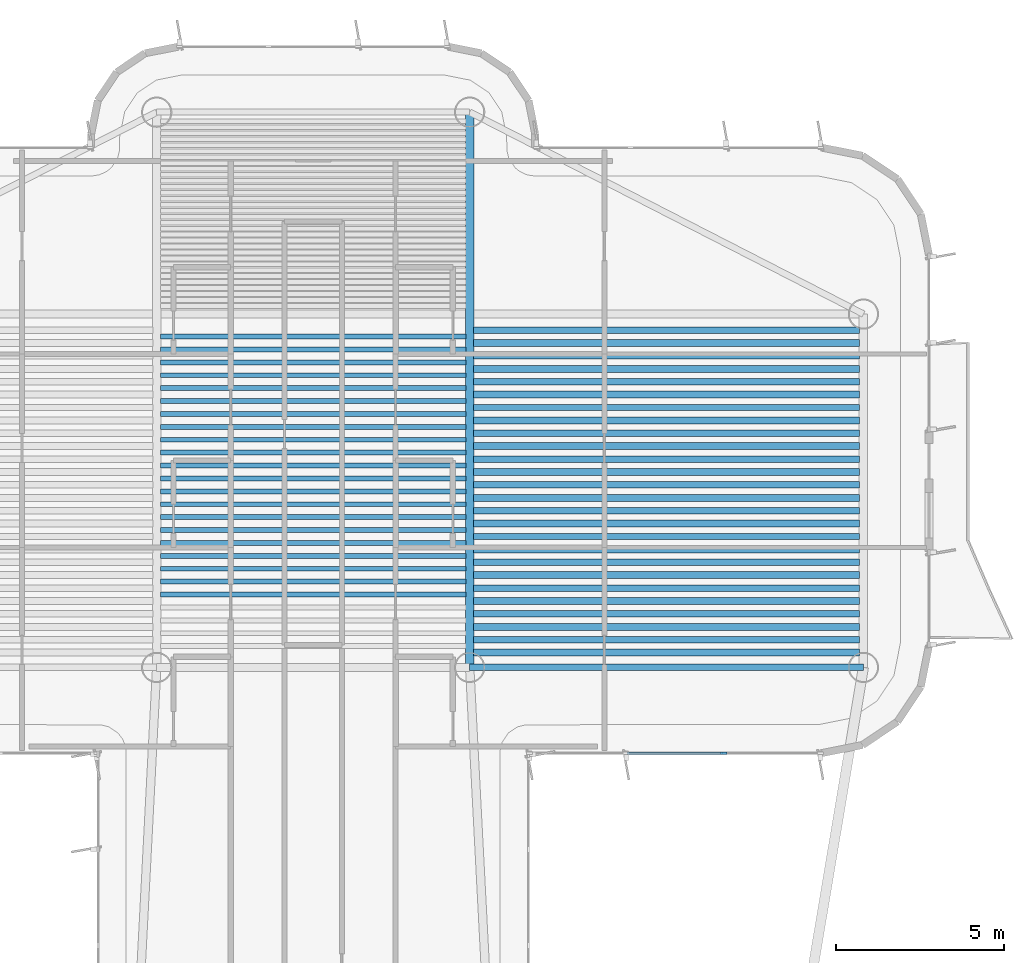
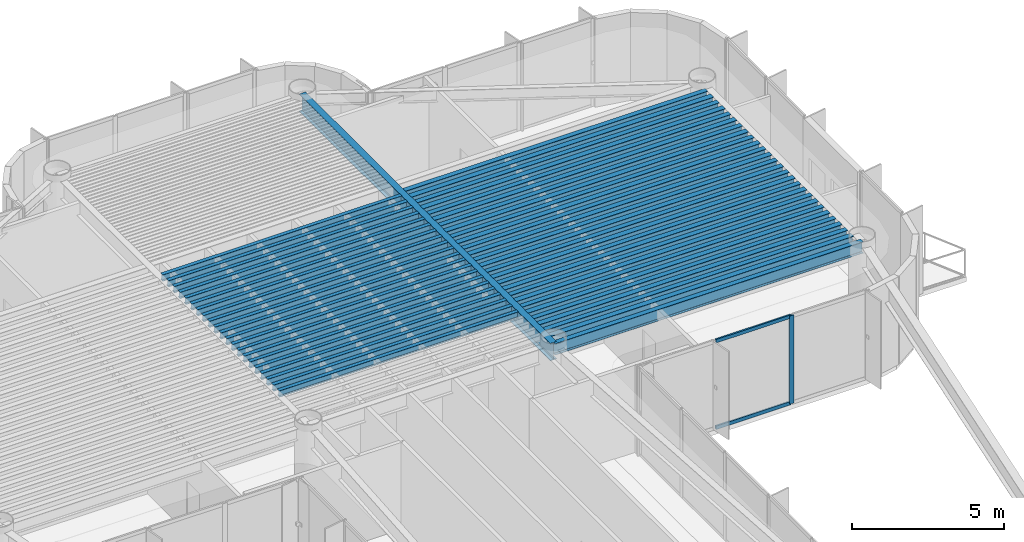
# One storey, part 6 of 16: 49 beams, 3 members, 1 element without a shape of its own.
"""IFC4 building model written with IfcOpenShell, lengths in metres."""

from ifc_helpers import new_model, si_unit, direction, frame, origin, origin_2d, place, context, subcontext, project, spatial, rectangle, i_section, extrude, source, transform, mapped, material, layer, layer_set, material_profile, profile_set, type_object, element, aggregate, save


model = new_model("IFC4")

# Units and contexts
model_context = context("Model", 3, precision=1e-05, world=origin(), true_north=direction((0.0, 1.0)))
body_context = subcontext(model_context, "Body", "Model", "MODEL_VIEW")
ifc_project = project(units=[si_unit("LENGTHUNIT", "METRE"), si_unit("AREAUNIT", "SQUARE_METRE"), si_unit("VOLUMEUNIT", "CUBIC_METRE"), si_unit("PLANEANGLEUNIT", "RADIAN"), si_unit("MASSUNIT", "GRAM", prefix="KILO")], contexts=[model_context])

# Site, building, storey
site_placement = place(None, origin())
site = spatial("IfcSite", under=ifc_project, at=site_placement, CompositionType="ELEMENT")
building_placement = place(site_placement, origin())
building = spatial("IfcBuilding", under=site, at=building_placement, Name="Brelvock Crest Care Tower", CompositionType="ELEMENT")
storey_placement = place(building_placement, frame((0.0, 0.0, 234.360107421875)))
storey = spatial("IfcBuildingStorey", under=building, at=storey_placement, Name="L59", CompositionType="ELEMENT", Elevation=234.360107421875)

# Beams
ifc_material_1 = material(Name="Steel Grade 350", Category="steel")
ifc_material_profile_1 = material_profile(ifc_material_1, i_section(OverallWidth=0.14599609375, OverallDepth=0.256103515625, WebThickness=0.00634765625, FlangeThickness=0.010986328125, FilletRadius=0.0087890625, at=origin_2d()), Name="250UB37.3")
ifc_profile_set_1 = profile_set([ifc_material_profile_1], Name="Steel Grade 350")
beam_type_1 = type_object("IfcBeamType", Name="BM-J3", PredefinedType="JOIST", material=ifc_profile_set_1)
shared_shape_1 = source(origin(), body_context, "Body", "SweptSolid", [
    extrude(i_section(OverallWidth=0.14599609375, OverallDepth=0.256103515625, WebThickness=0.00634765625, FlangeThickness=0.010986328125, FilletRadius=0.0087890625, at=origin_2d()), origin(), (0.0, 0.0, 1.0), 9.06982421875),
])
for number, where, z_axis, x_axis, name in (
    (1, (31.465087890625, 46.115478515625, 3.40185546875), (1.0, 0.0, 0.0), (0.0, 1.0, 0.0), "BM-JH-L59-5"),
    (2, (31.465087890625, 46.498779296875, 3.40185546875), (1.0, 0.0, 0.0), (0.0, 1.0, 0.0), "BM-JH-L59-6"),
    (3, (31.465087890625, 46.882080078125, 3.40185546875), (1.0, 0.0, 0.0), (0.0, 1.0, 0.0), "BM-JH-L59-7"),
    (4, (31.465087890625, 47.265380859375, 3.40185546875), (1.0, 0.0, 0.0), (0.0, 1.0, 0.0), "BM-JH-L59-8"),
    (5, (31.465087890625, 47.648681640625, 3.40185546875), (1.0, 0.0, 0.0), (0.0, 1.0, 0.0), "BM-JH-L59-9"),
    (6, (31.465087890625, 48.031982421875, 3.40185546875), (1.0, 0.0, 0.0), (0.0, 1.0, 0.0), "BM-JH-L59-10"),
    (7, (31.465087890625, 48.4150390625, 3.40185546875), (1.0, 0.0, 0.0), (0.0, 1.0, 0.0), "BM-JH-L59-11"),
    (8, (31.465087890625, 48.79833984375, 3.40185546875), (1.0, 0.0, 0.0), (0.0, 1.0, 0.0), "BM-JH-L59-12"),
    (9, (31.465087890625, 49.181640625, 3.40185546875), (1.0, 0.0, 0.0), (0.0, 1.0, 0.0), "BM-JH-L59-13"),
    (10, (31.465087890625, 49.564697265625, 3.40185546875), (1.0, 0.0, 0.0), (0.0, 1.0, 0.0), "BM-JH-L59-14"),
    (11, (31.465087890625, 49.947998046875, 3.40185546875), (1.0, 0.0, 0.0), (0.0, 1.0, 0.0), "BM-JH-L59-15"),
    (12, (31.465087890625, 50.331298828125, 3.40185546875), (1.0, 0.0, 0.0), (0.0, 1.0, 0.0), "BM-JH-L59-16"),
    (13, (31.465087890625, 50.714599609375, 3.40185546875), (1.0, 0.0, 0.0), (0.0, 1.0, 0.0), "BM-JH-L59-17"),
    (14, (31.465087890625, 51.097900390625, 3.40185546875), (1.0, 0.0, 0.0), (0.0, 1.0, 0.0), "BM-JH-L59-18"),
    (15, (31.465087890625, 51.481201171875, 3.40185546875), (1.0, 0.0, 0.0), (0.0, 1.0, 0.0), "BM-JH-L59-19"),
    (16, (31.465087890625, 51.864501953125, 3.40185546875), (1.0, 0.0, 0.0), (0.0, 1.0, 0.0), "BM-JH-L59-20"),
    (17, (31.465087890625, 52.24755859375, 3.40185546875), (1.0, 0.0, 0.0), (0.0, 1.0, 0.0), "BM-JH-L59-21"),
    (18, (31.465087890625, 52.630859375, 3.40185546875), (1.0, 0.0, 0.0), (0.0, 1.0, 0.0), "BM-JH-L59-22"),
    (19, (31.465087890625, 53.01416015625, 3.40185546875), (1.0, 0.0, 0.0), (0.0, 1.0, 0.0), "BM-JH-L59-23"),
    (20, (31.465087890625, 53.3974609375, 3.40185546875), (1.0, 0.0, 0.0), (0.0, 1.0, 0.0), "BM-JH-L59-24"),
    (21, (31.465087890625, 53.780517578125, 3.40185546875), (1.0, 0.0, 0.0), (0.0, 1.0, 0.0), "BM-JH-L59-25"),
):
    element("IfcBeam", number, at=place(storey_placement, frame(where, z_axis=z_axis, x_axis=x_axis)), inside=storey, type_object=beam_type_1, Name=name, PredefinedType="JOIST", context=body_context, shape_type="MappedRepresentation", body=[
        mapped(shared_shape_1, transform((0.0, 0.0, 0.0), x_axis=(1.0, 0.0, 0.0), y_axis=(0.0, 1.0, 0.0), z_axis=(0.0, 0.0, 1.0), scale=1.0)),
    ])
ifc_material_profile_2 = material_profile(ifc_material_1, i_section(OverallWidth=0.19091796875, OverallDepth=0.4599609375, WebThickness=0.010009765625, FlangeThickness=0.01611328125, FilletRadius=0.011474609375, at=origin_2d()), Name="460UB82.1")
ifc_profile_set_2 = profile_set([ifc_material_profile_2], Name="Steel Grade 350")
beam_type_2 = type_object("IfcBeamType", Name="BM-G3", PredefinedType="BEAM", material=ifc_profile_set_2)
shared_shape_2 = source(origin(), body_context, "Body", "SweptSolid", [
    extrude(i_section(OverallWidth=0.19091796875, OverallDepth=0.4599609375, WebThickness=0.010009765625, FlangeThickness=0.01611328125, FilletRadius=0.011474609375, at=origin_2d()), origin(), (0.0, 0.0, 1.0), 11.47021484375),
])
for number, where, z_axis, x_axis, name in (
    (22, (40.764892578125, 44.7744140625, 3.2998046875), (1.0, 0.0, 0.0), (0.0, 1.0, 0.0), "BM-JE-L59-2"),
    (23, (40.764892578125, 45.540771484375, 3.2998046875), (1.0, 0.0, 0.0), (0.0, 1.0, 0.0), "BM-JE-L59-4"),
    (24, (40.764892578125, 46.307373046875, 3.2998046875), (1.0, 0.0, 0.0), (0.0, 1.0, 0.0), "BM-JE-L59-6"),
    (25, (40.764892578125, 47.07373046875, 3.2998046875), (1.0, 0.0, 0.0), (0.0, 1.0, 0.0), "BM-JE-L59-8"),
    (26, (40.764892578125, 47.84033203125, 3.2998046875), (1.0, 0.0, 0.0), (0.0, 1.0, 0.0), "BM-JE-L59-10"),
    (27, (40.764892578125, 48.606689453125, 3.2998046875), (1.0, 0.0, 0.0), (0.0, 1.0, 0.0), "BM-JE-L59-12"),
    (28, (40.764892578125, 49.373291015625, 3.2998046875), (1.0, 0.0, 0.0), (0.0, 1.0, 0.0), "BM-JE-L59-14"),
    (29, (40.764892578125, 50.139892578125, 3.2998046875), (1.0, 0.0, 0.0), (0.0, 1.0, 0.0), "BM-JE-L59-16"),
    (30, (40.764892578125, 50.90625, 3.2998046875), (1.0, 0.0, 0.0), (0.0, 1.0, 0.0), "BM-JE-L59-18"),
    (31, (40.764892578125, 51.6728515625, 3.2998046875), (1.0, 0.0, 0.0), (0.0, 1.0, 0.0), "BM-JE-L59-20"),
    (32, (40.764892578125, 52.439208984375, 3.2998046875), (1.0, 0.0, 0.0), (0.0, 1.0, 0.0), "BM-JE-L59-22"),
    (33, (40.764892578125, 53.205810546875, 3.2998046875), (1.0, 0.0, 0.0), (0.0, 1.0, 0.0), "BM-JE-L59-24"),
    (34, (40.764892578125, 53.972412109375, 3.2998046875), (1.0, 0.0, 0.0), (0.0, 1.0, 0.0), "BM-JE-L59-26"),
):
    element("IfcBeam", number, at=place(storey_placement, frame(where, z_axis=z_axis, x_axis=x_axis)), inside=storey, type_object=beam_type_2, Name=name, PredefinedType="BEAM", context=body_context, shape_type="MappedRepresentation", body=[
        mapped(shared_shape_2, transform((0.0, 0.0, 0.0), x_axis=(1.0, 0.0, 0.0), y_axis=(0.0, 1.0, 0.0), z_axis=(0.0, 0.0, 1.0), scale=1.0)),
    ])
ifc_material_profile_3 = material_profile(ifc_material_1, i_section(OverallWidth=0.208984375, OverallDepth=0.532958984375, WebThickness=0.01025390625, FlangeThickness=0.015625, FilletRadius=0.013916015625, at=origin_2d()), Name="530UB92.4")
ifc_profile_set_3 = profile_set([ifc_material_profile_3], Name="Steel Grade 350")
beam_type_3 = type_object("IfcBeamType", Name="BM-G2", PredefinedType="BEAM", material=ifc_profile_set_3)
shared_shape_3 = source(origin(), body_context, "Body", "SweptSolid", [
    extrude(i_section(OverallWidth=0.208984375, OverallDepth=0.532958984375, WebThickness=0.01025390625, FlangeThickness=0.015625, FilletRadius=0.013916015625, at=origin_2d()), origin(), (0.0, 0.0, 1.0), 11.47021484375),
])
for number, where, z_axis, x_axis, name in (
    (35, (40.764892578125, 44.39111328125, 3.263427734375), (1.0, 0.0, 0.0), (0.0, 1.0, 0.0), "BM-JE-L59-1"),
    (36, (40.764892578125, 45.157470703125, 3.263427734375), (1.0, 0.0, 0.0), (0.0, 1.0, 0.0), "BM-JE-L59-3"),
    (37, (40.764892578125, 45.924072265625, 3.263427734375), (1.0, 0.0, 0.0), (0.0, 1.0, 0.0), "BM-JE-L59-5"),
    (38, (40.764892578125, 46.6904296875, 3.263427734375), (1.0, 0.0, 0.0), (0.0, 1.0, 0.0), "BM-JE-L59-7"),
    (39, (40.764892578125, 47.45703125, 3.263427734375), (1.0, 0.0, 0.0), (0.0, 1.0, 0.0), "BM-JE-L59-9"),
    (40, (40.764892578125, 48.223388671875, 3.263427734375), (1.0, 0.0, 0.0), (0.0, 1.0, 0.0), "BM-JE-L59-11"),
    (41, (40.764892578125, 48.989990234375, 3.263427734375), (1.0, 0.0, 0.0), (0.0, 1.0, 0.0), "BM-JE-L59-13"),
    (42, (40.764892578125, 49.756591796875, 3.263427734375), (1.0, 0.0, 0.0), (0.0, 1.0, 0.0), "BM-JE-L59-15"),
    (43, (40.764892578125, 50.52294921875, 3.263427734375), (1.0, 0.0, 0.0), (0.0, 1.0, 0.0), "BM-JE-L59-17"),
    (44, (40.764892578125, 51.28955078125, 3.263427734375), (1.0, 0.0, 0.0), (0.0, 1.0, 0.0), "BM-JE-L59-19"),
    (45, (40.764892578125, 52.055908203125, 3.263427734375), (1.0, 0.0, 0.0), (0.0, 1.0, 0.0), "BM-JE-L59-21"),
    (46, (40.764892578125, 52.822509765625, 3.263427734375), (1.0, 0.0, 0.0), (0.0, 1.0, 0.0), "BM-JE-L59-23"),
    (47, (40.764892578125, 53.589111328125, 3.263427734375), (1.0, 0.0, 0.0), (0.0, 1.0, 0.0), "BM-JE-L59-25"),
):
    element("IfcBeam", number, at=place(storey_placement, frame(where, z_axis=z_axis, x_axis=x_axis)), inside=storey, type_object=beam_type_3, Name=name, PredefinedType="BEAM", context=body_context, shape_type="MappedRepresentation", body=[
        mapped(shared_shape_3, transform((0.0, 0.0, 0.0), x_axis=(1.0, 0.0, 0.0), y_axis=(0.0, 1.0, 0.0), z_axis=(0.0, 0.0, 1.0), scale=1.0)),
    ])
ifc_material_profile_4 = material_profile(ifc_material_1, i_section(OverallWidth=0.19091796875, OverallDepth=0.4599609375, WebThickness=0.010009765625, FlangeThickness=0.01611328125, FilletRadius=0.011474609375, at=origin_2d()), Name="460UB82.1")
ifc_profile_set_4 = profile_set([ifc_material_profile_4], Name="Steel Grade 350")
beam_type_4 = type_object("IfcBeamType", Name="BM-SP2", PredefinedType="SPANDREL", material=ifc_profile_set_4)
shared_shape_4 = source(origin(), body_context, "Body", "SweptSolid", [
    extrude(i_section(OverallWidth=0.19091796875, OverallDepth=0.4599609375, WebThickness=0.010009765625, FlangeThickness=0.01611328125, FilletRadius=0.011474609375, at=origin_2d()), origin(), (0.0, 0.0, 1.0), 11.7001953125),
])
beam_1_placement = place(storey_placement, frame((40.64990234375, 43.949951171875, 3.2998046875), z_axis=(1.0, 0.0, 0.0), x_axis=(0.0, 1.0, 0.0)))
element("IfcBeam", 48, at=beam_1_placement, inside=storey, type_object=beam_type_4, Name="BM-TWR-L59-04", PredefinedType="SPANDREL", context=body_context, shape_type="MappedRepresentation", body=[
    mapped(shared_shape_4, transform((0.0, 0.0, 0.0), x_axis=(1.0, 0.0, 0.0), y_axis=(0.0, 1.0, 0.0), z_axis=(0.0, 0.0, 1.0), scale=1.0)),
])
ifc_material_profile_5 = material_profile(ifc_material_1, i_section(OverallWidth=0.25, OverallDepth=0.699951171875, WebThickness=0.011962890625, FlangeThickness=0.02001953125, at=origin_2d()), Name="700WB150")
ifc_profile_set_5 = profile_set([ifc_material_profile_5], Name="Steel Grade 350")
beam_type_5 = type_object("IfcBeamType", Name="BM-G4", PredefinedType="BEAM", material=ifc_profile_set_5)
shared_shape_5 = source(origin(), body_context, "Body", "SweptSolid", [
    extrude(i_section(OverallWidth=0.25, OverallDepth=0.699951171875, WebThickness=0.011962890625, FlangeThickness=0.02001953125, at=origin_2d()), origin(), (0.0, 0.0, 1.0), 16.5),
])
beam_2_placement = place(storey_placement, frame((40.64990234375, 43.949951171875, 3.179931640625), z_axis=(0.0, 1.0, 0.0), x_axis=(-1.0, 0.0, 0.0)))
element("IfcBeam", 49, at=beam_2_placement, inside=storey, type_object=beam_type_5, Name="BM-TWR-L59-10", PredefinedType="BEAM", context=body_context, shape_type="MappedRepresentation", body=[
    mapped(shared_shape_5, transform((0.0, 0.0, 0.0), x_axis=(1.0, 0.0, 0.0), y_axis=(0.0, 1.0, 0.0), z_axis=(0.0, 0.0, 1.0), scale=1.0)),
])

# Curtain wall, members
ifc_material_2 = material(Name="Dark Glass Double Glazed Low-E", Category="glass")
ifc_layer = layer(ifc_material_2, 0.239990234375, Name="CWS-5")
ifc_layer_set = layer_set([ifc_layer], Name="Dark Glass Double Glazed Low-E")
curtain_wall_type = type_object("IfcCurtainWallType", Name="CWS-5", PredefinedType="NOTDEFINED", material=ifc_layer_set)
curtain_wall_placement = place(storey_placement, origin())
curtain_wall = element("IfcCurtainWall", 50, at=curtain_wall_placement, inside=storey, type_object=curtain_wall_type, Name="L59 Curtain Wall E44", PredefinedType="NOTDEFINED")
ifc_material_3 = material(Name="Aluminium 6063-T6", Category="aluminium")
ifc_material_profile_6 = material_profile(ifc_material_3, rectangle(XDim=0.06005859375, YDim=0.179931640625, at=origin_2d()), Name="ALU60x180")
ifc_profile_set_6 = profile_set([ifc_material_profile_6], Name="Aluminium 6063-T6")
member_type_1 = type_object("IfcMemberType", Name="CWM-2", PredefinedType="MULLION", material=ifc_profile_set_6)
shared_shape_6 = source(origin(), body_context, "Body", "SweptSolid", [
    extrude(rectangle(XDim=0.06005859375, YDim=0.179931640625, at=origin_2d()), origin(), (0.0, 0.0, 1.0), 3.52978515625),
])
member_1_placement = place(storey_placement, frame((48.199951171875, 41.39990234375, 0.0), z_axis=(0.0, 0.0, 1.0), x_axis=(0.0, -1.0, 0.0)))
member_1 = element("IfcMember", 51, at=member_1_placement, type_object=member_type_1, Name="CW-5 mullion 2", PredefinedType="MULLION", context=body_context, shape_type="MappedRepresentation", body=[
    mapped(shared_shape_6, transform((0.0, 0.0, 0.0), x_axis=(1.0, 0.0, 0.0), y_axis=(0.0, 1.0, 0.0), z_axis=(0.0, 0.0, 1.0), scale=1.0)),
])
ifc_material_profile_7 = material_profile(ifc_material_3, rectangle(XDim=0.06005859375, YDim=0.139892578125, at=origin_2d()), Name="ALU60x140")
ifc_profile_set_7 = profile_set([ifc_material_profile_7], Name="Aluminium 6063-T6")
member_type_2 = type_object("IfcMemberType", Name="CWT-2", PredefinedType="USERDEFINED", material=ifc_profile_set_7)
shared_shape_7 = source(origin(), body_context, "Body", "SweptSolid", [
    extrude(rectangle(XDim=0.06005859375, YDim=0.139892578125, at=origin_2d()), origin(), (0.0, 0.0, 1.0), 2.83984375),
])
member_2_placement = place(storey_placement, frame((48.169921875, 41.39990234375, 0.02978515625), z_axis=(-1.0, 0.0, 0.0), x_axis=(0.0, -1.0, 0.0)))
member_2 = element("IfcMember", 52, at=member_2_placement, type_object=member_type_2, Name="CW-5 transom 2.1", ObjectType="TRANSOM", PredefinedType="USERDEFINED", context=body_context, shape_type="MappedRepresentation", body=[
    mapped(shared_shape_7, transform((0.0, 0.0, 0.0), x_axis=(1.0, 0.0, 0.0), y_axis=(0.0, 1.0, 0.0), z_axis=(0.0, 0.0, 1.0), scale=1.0)),
])
member_3_placement = place(storey_placement, frame((48.169921875, 41.39990234375, 3.5), z_axis=(-1.0, 0.0, 0.0), x_axis=(0.0, -1.0, 0.0)))
member_3 = element("IfcMember", 53, at=member_3_placement, type_object=member_type_2, Name="CW-5 transom 2.2", ObjectType="TRANSOM", PredefinedType="USERDEFINED", context=body_context, shape_type="MappedRepresentation", body=[
    mapped(shared_shape_7, transform((0.0, 0.0, 0.0), x_axis=(1.0, 0.0, 0.0), y_axis=(0.0, 1.0, 0.0), z_axis=(0.0, 0.0, 1.0), scale=1.0)),
])
aggregate(curtain_wall, [member_1, member_2, member_3])

save(model, "model.ifc")
